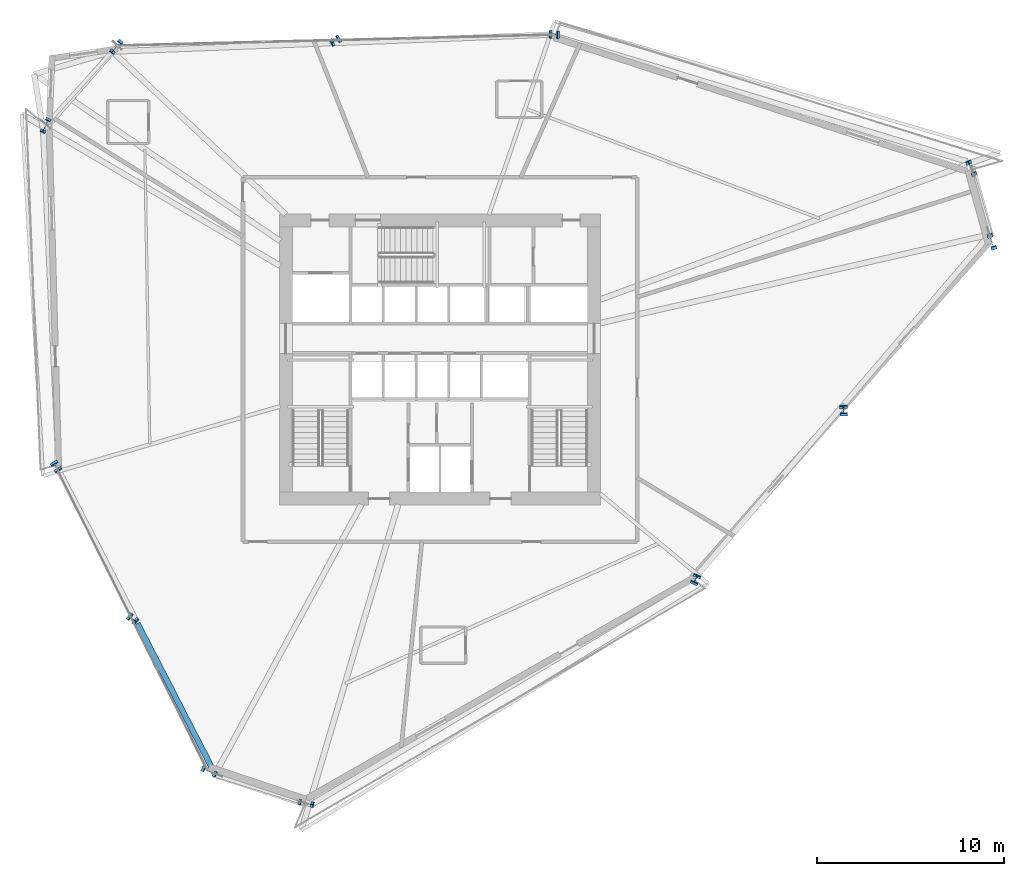
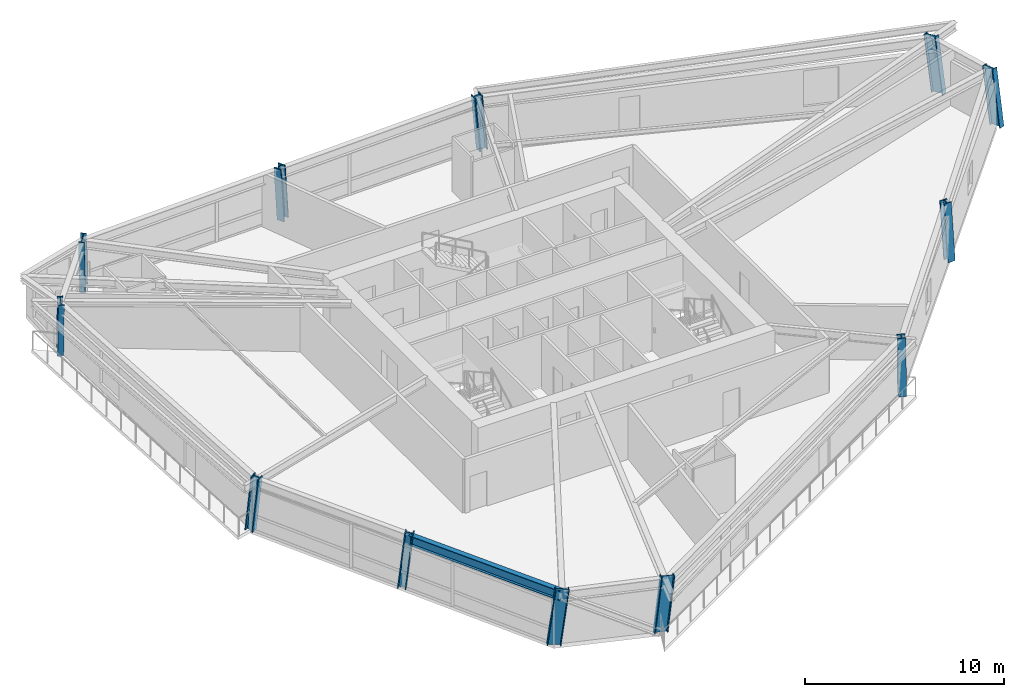
# One storey, part 1 of 20: 12 columns, 1 beam.
"""IFC4 building model written with IfcOpenShell, lengths in metres."""

from ifc_helpers import new_model, si_unit, direction, frame, origin, origin_2d, place, context, subcontext, project, spatial, i_section, extrude, source, transform, mapped, material, material_profile, profile_set, type_object, element, save


model = new_model("IFC4")

# Units and contexts
model_context = context("Model", 3, precision=1e-05, world=origin(), true_north=direction((0.0, 1.0)))
body_context = subcontext(model_context, "Body", "Model", "MODEL_VIEW")
ifc_project = project(units=[si_unit("LENGTHUNIT", "METRE"), si_unit("AREAUNIT", "SQUARE_METRE"), si_unit("VOLUMEUNIT", "CUBIC_METRE"), si_unit("PLANEANGLEUNIT", "RADIAN"), si_unit("MASSUNIT", "GRAM", prefix="KILO")], contexts=[model_context])

# Site, building, storey
site_placement = place(None, origin())
site = spatial("IfcSite", under=ifc_project, at=site_placement, CompositionType="ELEMENT")
building_placement = place(site_placement, origin())
building = spatial("IfcBuilding", under=site, at=building_placement, Name="Olszyna Solenne Hotel", CompositionType="ELEMENT")
storey_placement = place(building_placement, frame((0.0, 0.0, 98.60009765625)))
storey = spatial("IfcBuildingStorey", under=building, at=storey_placement, Name="L25", CompositionType="ELEMENT", Elevation=98.60009765625)

# Columns
ifc_material_1 = material(Name="Steel S460M", Category="steel")
ifc_material_profile_1 = material_profile(ifc_material_1, i_section(OverallWidth=0.303955078125, OverallDepth=0.716064453125, WebThickness=0.02099609375, FlangeThickness=0.0400390625, at=origin_2d()), Name="HEM 700", Category="load-bearing")
ifc_profile_set_1 = profile_set([ifc_material_profile_1], Name="Steel S460M")
column_type_1 = type_object("IfcColumnType", Name="COL-K2", PredefinedType="COLUMN", material=ifc_profile_set_1)
shared_shape_1 = source(origin(), body_context, "Body", "SweptSolid", [
    extrude(i_section(OverallWidth=0.303955078125, OverallDepth=0.716064453125, WebThickness=0.02099609375, FlangeThickness=0.0400390625, at=origin_2d()), origin(), (0.0, 0.0, 1.0), 3.40869140625),
])
column_1_placement = place(storey_placement, frame((20.719482421875, 43.39453125, 0.0), z_axis=(-0.0739887365, -0.091178762405, 0.993082121558), x_axis=(0.776505673312, -0.630110259648, 0.0)))
element("IfcColumn", 1, at=column_1_placement, inside=storey, type_object=column_type_1, Name="Perimeter framed-tube column COL-K2 C-L25-05", PredefinedType="COLUMN", context=body_context, shape_type="MappedRepresentation", body=[
    mapped(shared_shape_1, transform((0.0, 0.0, 0.0), x_axis=(1.0, 0.0, 0.0), y_axis=(0.0, 1.0, 0.0), z_axis=(0.0, 0.0, 1.0), scale=1.0)),
])
shared_shape_2 = source(origin(), body_context, "Body", "SweptSolid", [
    extrude(i_section(OverallWidth=0.303955078125, OverallDepth=0.716064453125, WebThickness=0.02099609375, FlangeThickness=0.0400390625, at=origin_2d()), origin(), (0.0, 0.0, 1.0), 3.420654296875),
])
column_2_placement = place(storey_placement, frame((67.560791015625, 32.816650390625, 0.0), z_axis=(-0.043537632385, 0.137179228596, 0.989588972154), x_axis=(-0.953146965956, -0.302507621869, 0.0)))
element("IfcColumn", 2, at=column_2_placement, inside=storey, type_object=column_type_1, Name="Perimeter framed-tube column COL-K2 C-L25-01", PredefinedType="COLUMN", context=body_context, shape_type="MappedRepresentation", body=[
    mapped(shared_shape_2, transform((0.0, 0.0, 0.0), x_axis=(1.0, 0.0, 0.0), y_axis=(0.0, 1.0, 0.0), z_axis=(0.0, 0.0, 1.0), scale=1.0)),
])
shared_shape_3 = source(origin(), body_context, "Body", "SweptSolid", [
    extrude(i_section(OverallWidth=0.303955078125, OverallDepth=0.716064453125, WebThickness=0.02099609375, FlangeThickness=0.0400390625, at=origin_2d()), origin(), (0.0, 0.0, 1.0), 3.416259765625),
])
column_3_placement = place(storey_placement, frame((66.4697265625, 36.763916015625, 0.0), z_axis=(-0.058530529393, 0.121420475506, 0.990873980513), x_axis=(-0.900802013123, -0.43423004635, 0.0)))
element("IfcColumn", 3, at=column_3_placement, inside=storey, type_object=column_type_1, Name="Perimeter framed-tube column COL-K2 C-L25-02", PredefinedType="COLUMN", context=body_context, shape_type="MappedRepresentation", body=[
    mapped(shared_shape_3, transform((0.0, 0.0, 0.0), x_axis=(1.0, 0.0, 0.0), y_axis=(0.0, 1.0, 0.0), z_axis=(0.0, 0.0, 1.0), scale=1.0)),
])
ifc_material_profile_2 = material_profile(ifc_material_1, i_section(OverallWidth=0.41796875, OverallDepth=0.455078125, WebThickness=0.03759765625, FlangeThickness=0.05908203125, at=origin_2d()), Name="HD 400x551", Category="load-bearing")
ifc_profile_set_2 = profile_set([ifc_material_profile_2], Name="Steel S460M")
column_type_2 = type_object("IfcColumnType", Name="COL-T2", PredefinedType="COLUMN", material=ifc_profile_set_2)
shared_shape_4 = source(origin(), body_context, "Body", "SweptSolid", [
    extrude(i_section(OverallWidth=0.41796875, OverallDepth=0.455078125, WebThickness=0.03759765625, FlangeThickness=0.05908203125, at=origin_2d()), origin(), (0.0, 0.0, 1.0), 3.397705078125),
])
column_4_placement = place(storey_placement, frame((44.159912109375, 43.980712890625, 0.0), z_axis=(-0.086440081787, 0.003017858217, 0.996252480445), x_axis=(-0.034891460117, -0.999391107631, 0.0)))
element("IfcColumn", 4, at=column_4_placement, inside=storey, type_object=column_type_2, Name="Perimeter framed-tube column COL-T2 C-L25-03", PredefinedType="COLUMN", context=body_context, shape_type="MappedRepresentation", body=[
    mapped(shared_shape_4, transform((0.0, 0.0, 0.0), x_axis=(1.0, 0.0, 0.0), y_axis=(0.0, 1.0, 0.0), z_axis=(0.0, 0.0, 1.0), scale=1.0)),
])
shared_shape_5 = source(origin(), body_context, "Body", "SweptSolid", [
    extrude(i_section(OverallWidth=0.41796875, OverallDepth=0.455078125, WebThickness=0.03759765625, FlangeThickness=0.05908203125, at=origin_2d()), origin(), (0.0, 0.0, 1.0), 3.3994140625),
])
column_5_placement = place(storey_placement, frame((32.439697265625, 43.6875, 0.0), z_axis=(-0.080295380378, -0.044169641263, 0.995791993682), x_axis=(0.481978917969, -0.876182813478, 0.0)))
element("IfcColumn", 5, at=column_5_placement, inside=storey, type_object=column_type_2, Name="Perimeter framed-tube column COL-T2 C-L25-04", PredefinedType="COLUMN", context=body_context, shape_type="MappedRepresentation", body=[
    mapped(shared_shape_5, transform((0.0, 0.0, 0.0), x_axis=(1.0, 0.0, 0.0), y_axis=(0.0, 1.0, 0.0), z_axis=(0.0, 0.0, 1.0), scale=1.0)),
])
shared_shape_6 = source(origin(), body_context, "Body", "SweptSolid", [
    extrude(i_section(OverallWidth=0.303955078125, OverallDepth=0.716064453125, WebThickness=0.02099609375, FlangeThickness=0.0400390625, at=origin_2d()), origin(), (0.0, 0.0, 1.0), 3.404296875),
])
column_6_placement = place(storey_placement, frame((16.914306640625, 39.18310546875, 0.0), z_axis=(-0.044103945942, -0.096956967339, 0.994310911354), x_axis=(0.910251157425, -0.414056554598, 0.0)))
element("IfcColumn", 6, at=column_6_placement, inside=storey, type_object=column_type_1, Name="Perimeter framed-tube column COL-K2 C-L25-06", PredefinedType="COLUMN", context=body_context, shape_type="MappedRepresentation", body=[
    mapped(shared_shape_6, transform((0.0, 0.0, 0.0), x_axis=(1.0, 0.0, 0.0), y_axis=(0.0, 1.0, 0.0), z_axis=(0.0, 0.0, 1.0), scale=1.0)),
])
shared_shape_7 = source(origin(), body_context, "Body", "SweptSolid", [
    extrude(i_section(OverallWidth=0.41796875, OverallDepth=0.455078125, WebThickness=0.03759765625, FlangeThickness=0.05908203125, at=origin_2d()), origin(), (0.0, 0.0, 1.0), 3.40283203125),
])
column_7_placement = place(storey_placement, frame((17.419921875, 20.92626953125, 0.0), z_axis=(0.053593517987, -0.087241924863, 0.994744480445), x_axis=(0.852067057258, 0.52343264126, 0.0)))
element("IfcColumn", 7, at=column_7_placement, inside=storey, type_object=column_type_2, Name="Perimeter framed-tube column COL-T2 C-L25-07", PredefinedType="COLUMN", context=body_context, shape_type="MappedRepresentation", body=[
    mapped(shared_shape_7, transform((0.0, 0.0, 0.0), x_axis=(1.0, 0.0, 0.0), y_axis=(0.0, 1.0, 0.0), z_axis=(0.0, 0.0, 1.0), scale=1.0)),
])
shared_shape_8 = source(origin(), body_context, "Body", "SweptSolid", [
    extrude(i_section(OverallWidth=0.41796875, OverallDepth=0.455078125, WebThickness=0.03759765625, FlangeThickness=0.05908203125, at=origin_2d()), origin(), (0.0, 0.0, 1.0), 3.405029296875),
])
column_8_placement = place(storey_placement, frame((21.496826171875, 12.755126953125, 0.0), z_axis=(0.083603321323, -0.068617820331, 0.994133833745), x_axis=(0.634428353152, 0.772981671656, 0.0)))
element("IfcColumn", 8, at=column_8_placement, inside=storey, type_object=column_type_2, Name="Perimeter framed-tube column COL-T2 C-L25-08", PredefinedType="COLUMN", context=body_context, shape_type="MappedRepresentation", body=[
    mapped(shared_shape_8, transform((0.0, 0.0, 0.0), x_axis=(1.0, 0.0, 0.0), y_axis=(0.0, 1.0, 0.0), z_axis=(0.0, 0.0, 1.0), scale=1.0)),
])
shared_shape_9 = source(origin(), body_context, "Body", "SweptSolid", [
    extrude(i_section(OverallWidth=0.303955078125, OverallDepth=0.716064453125, WebThickness=0.02099609375, FlangeThickness=0.0400390625, at=origin_2d()), origin(), (0.0, 0.0, 1.0), 3.411376953125),
])
column_9_placement = place(storey_placement, frame((25.573974609375, 4.583740234375, 0.0), z_axis=(0.113365266319, -0.049812010958, 0.992303925195), x_axis=(0.402273699495, 0.915519454023, 0.0)))
element("IfcColumn", 9, at=column_9_placement, inside=storey, type_object=column_type_1, Name="Perimeter framed-tube column COL-K2 C-L25-09", PredefinedType="COLUMN", context=body_context, shape_type="MappedRepresentation", body=[
    mapped(shared_shape_9, transform((0.0, 0.0, 0.0), x_axis=(1.0, 0.0, 0.0), y_axis=(0.0, 1.0, 0.0), z_axis=(0.0, 0.0, 1.0), scale=1.0)),
])
shared_shape_10 = source(origin(), body_context, "Body", "SweptSolid", [
    extrude(i_section(OverallWidth=0.303955078125, OverallDepth=0.716064453125, WebThickness=0.02099609375, FlangeThickness=0.0400390625, at=origin_2d()), origin(), (0.0, 0.0, 1.0), 3.4052734375),
])
column_10_placement = place(storey_placement, frame((30.76171875, 2.858154296875, 0.0), z_axis=(0.107037692967, -0.021436215805, 0.994023853304), x_axis=(0.196368725397, 0.980530123803, 0.0)))
element("IfcColumn", 10, at=column_10_placement, inside=storey, type_object=column_type_1, Name="Perimeter framed-tube column COL-K2 C-L25-10", PredefinedType="COLUMN", context=body_context, shape_type="MappedRepresentation", body=[
    mapped(shared_shape_10, transform((0.0, 0.0, 0.0), x_axis=(1.0, 0.0, 0.0), y_axis=(0.0, 1.0, 0.0), z_axis=(0.0, 0.0, 1.0), scale=1.0)),
])
shared_shape_11 = source(origin(), body_context, "Body", "SweptSolid", [
    extrude(i_section(OverallWidth=0.41796875, OverallDepth=0.455078125, WebThickness=0.03759765625, FlangeThickness=0.05908203125, at=origin_2d()), origin(), (0.0, 0.0, 1.0), 3.3984375),
])
column_11_placement = place(storey_placement, frame((51.650146484375, 14.780029296875, 0.0), z_axis=(0.036206217807, 0.081320314599, 0.996030178371), x_axis=(-0.913545119324, 0.40673740295, 0.0)))
element("IfcColumn", 11, at=column_11_placement, inside=storey, type_object=column_type_2, Name="Perimeter framed-tube column COL-T2 C-L25-11", PredefinedType="COLUMN", context=body_context, shape_type="MappedRepresentation", body=[
    mapped(shared_shape_11, transform((0.0, 0.0, 0.0), x_axis=(1.0, 0.0, 0.0), y_axis=(0.0, 1.0, 0.0), z_axis=(0.0, 0.0, 1.0), scale=1.0)),
])
shared_shape_12 = source(origin(), body_context, "Body", "SweptSolid", [
    extrude(i_section(OverallWidth=0.41796875, OverallDepth=0.455078125, WebThickness=0.03759765625, FlangeThickness=0.05908203125, at=origin_2d()), origin(), (0.0, 0.0, 1.0), 3.405517578125),
])
column_12_placement = place(storey_placement, frame((59.60546875, 23.79833984375, 0.0), z_axis=(-0.00379957347, 0.109470729964, 0.993982757659), x_axis=(-0.999398200954, -0.034687691323, 0.0)))
element("IfcColumn", 12, at=column_12_placement, inside=storey, type_object=column_type_2, Name="Perimeter framed-tube column COL-T2 C-L25-12", PredefinedType="COLUMN", context=body_context, shape_type="MappedRepresentation", body=[
    mapped(shared_shape_12, transform((0.0, 0.0, 0.0), x_axis=(1.0, 0.0, 0.0), y_axis=(0.0, 1.0, 0.0), z_axis=(0.0, 0.0, 1.0), scale=1.0)),
])

# Beam
ifc_material_2 = material(Name="Steel S355J2", Category="steel")
ifc_material_profile_3 = material_profile(ifc_material_2, i_section(OverallWidth=0.300048828125, OverallDepth=0.60009765625, WebThickness=0.015380859375, FlangeThickness=0.030029296875, at=origin_2d()), Name="HEB 600", Category="load-bearing")
ifc_profile_set_3 = profile_set([ifc_material_profile_3], Name="Steel S355J2")
beam_type = type_object("IfcBeamType", Name="BM-S2", PredefinedType="BEAM", material=ifc_profile_set_3)
shared_shape_13 = source(origin(), body_context, "Body", "SweptSolid", [
    extrude(i_section(OverallWidth=0.300048828125, OverallDepth=0.60009765625, WebThickness=0.015380859375, FlangeThickness=0.030029296875, at=origin_2d()), origin(), (0.0, 0.0, 1.0), 9.001708984375),
])
beam_placement = place(storey_placement, frame((21.80908203125, 12.46826171875, 3.0), z_axis=(0.458169615011, -0.888864783801, 0.0), x_axis=(0.888864783801, 0.458169615011, 0.0)))
element("IfcBeam", 13, at=beam_placement, inside=storey, type_object=beam_type, Name="Perimeter spandrel beam BM-S2 B-L25-0757", PredefinedType="BEAM", context=body_context, shape_type="MappedRepresentation", body=[
    mapped(shared_shape_13, transform((0.0, 0.0, 0.0), x_axis=(1.0, 0.0, 0.0), y_axis=(0.0, 1.0, 0.0), z_axis=(0.0, 0.0, 1.0), scale=1.0)),
])

save(model, "model.ifc")
